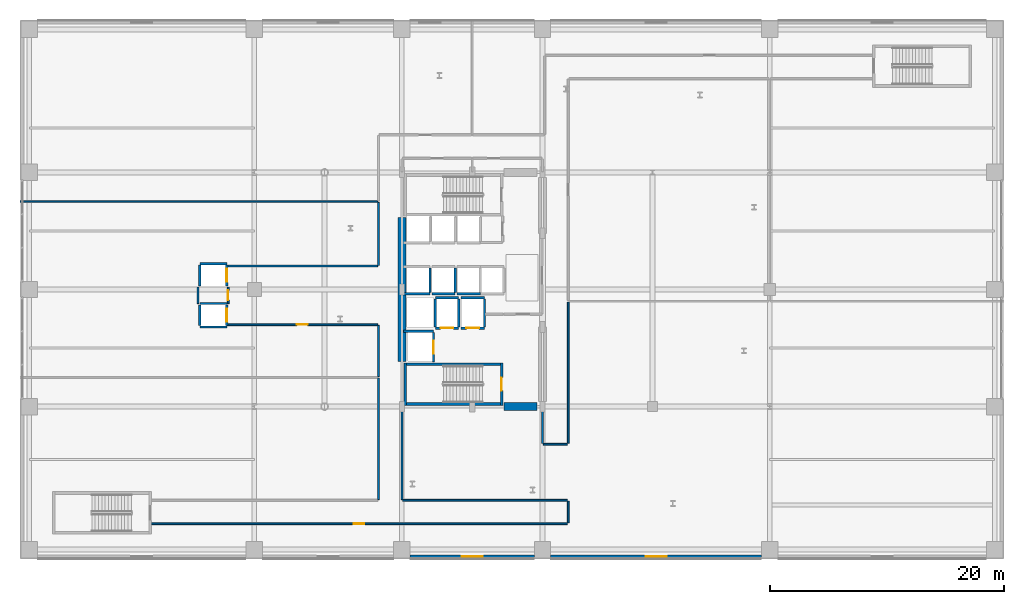
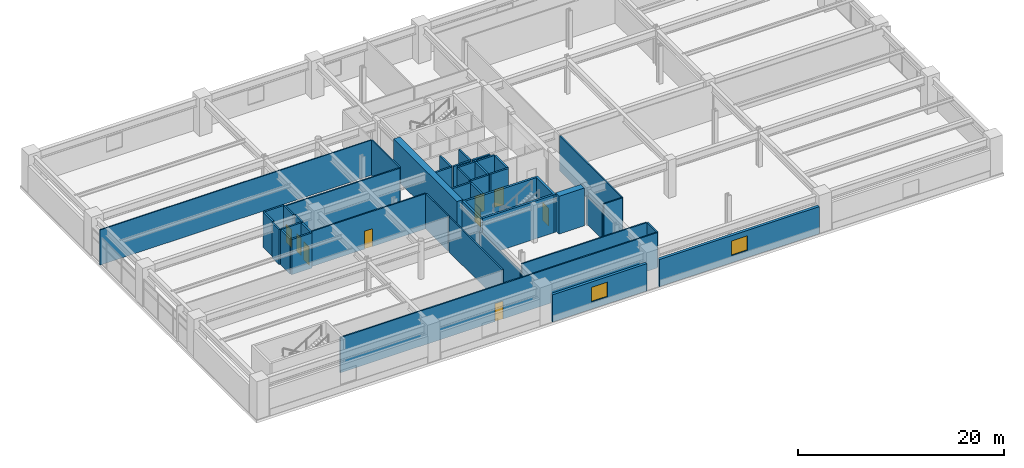
# One storey, part 20 of 28: 44 walls, 9 doors, 2 windows, 11 openings.
"""IFC4 building model written with IfcOpenShell, lengths in metres."""

from ifc_helpers import new_model, si_unit, direction, frame, frame_2d, origin, place, context, subcontext, project, spatial, rectangle, extrude, material, layer, layer_set, type_object, element, fill, save


model = new_model("IFC4")

# Units and contexts
model_context = context("Model", 3, precision=1e-05, world=origin(), true_north=direction((0.0, 1.0)))
body_context = subcontext(model_context, "Body", "Model", "MODEL_VIEW")
ifc_project = project(units=[si_unit("LENGTHUNIT", "METRE"), si_unit("AREAUNIT", "SQUARE_METRE"), si_unit("VOLUMEUNIT", "CUBIC_METRE"), si_unit("PLANEANGLEUNIT", "RADIAN"), si_unit("MASSUNIT", "GRAM", prefix="KILO")], contexts=[model_context])

# Site, building, storey
site_placement = place(None, origin())
site = spatial("IfcSite", under=ifc_project, at=site_placement, CompositionType="ELEMENT")
building_placement = place(site_placement, origin())
building = spatial("IfcBuilding", under=site, at=building_placement, Name="Soratama Intermodal Tower", CompositionType="ELEMENT")
storey_placement = place(building_placement, frame((0.0, 0.0, 16.199951171875)))
storey = spatial("IfcBuildingStorey", under=building, at=storey_placement, Name="L03", CompositionType="ELEMENT", Elevation=16.199951171875)

# Wall, opening, window
ifc_material_1 = material(Name="Concrete f'c 42 MPa", Category="concrete")
ifc_layer_1 = layer(ifc_material_1, 0.300048828125)
ifc_layer_set_1 = layer_set([ifc_layer_1], Name="Concrete f'c 42 MPa")
wall_type_1 = type_object("IfcWallType", Name="EW-STONE-300", PredefinedType="SOLIDWALL", material=ifc_layer_set_1)
wall_1_placement = place(storey_placement, frame((43.89990234375, 2.199951171875, 0.0), z_axis=(0.0, 0.0, 1.0), x_axis=(-1.0, 0.0, 0.0)))
wall_1 = element("IfcWall", 1, at=wall_1_placement, inside=storey, type_object=wall_type_1, Name="L03 S Limestone Wall B3", PredefinedType="SOLIDWALL", context=body_context, shape_type="SweptSolid", body=[
    extrude(rectangle(XDim=10.599853515625, YDim=0.300048828125, at=frame_2d((5.2998046875, 0.0))), origin(), (0.0, 0.0, 1.0), 3.236083984375),
])
opening_1_placement = place(wall_1_placement, frame((4.39990234375, 0.0, 0.85009765625)))
opening_1 = element("IfcOpeningElement", 2, at=opening_1_placement, cuts=wall_1, Name="Opening WN-3", PredefinedType="OPENING", context=body_context, shape_type="SweptSolid", body=[
    extrude(rectangle(XDim=1.800048828125, YDim=1.75, at=frame_2d((0.89990234375, 0.875))), frame((0.0, 0.159912109375, 0.0), z_axis=(0.0, -1.0, 0.0), x_axis=(1.0, 0.0, 0.0)), (0.0, 0.0, 1.0), 0.320068359375),
])
ifc_material_2 = material(Name="Double-glazed aluminium window", Category="aluminium")
window_type = type_object("IfcWindowType", Name="WN-POD-1800", PartitioningType="SINGLE_PANEL", PredefinedType="WINDOW", material=ifc_material_2)
window_1_placement = place(opening_1_placement, origin())
window_1 = element("IfcWindow", 3, at=window_1_placement, inside=storey, type_object=window_type, Name="L03 S Window B3", OverallHeight=1.75, OverallWidth=1.800048828125, PartitioningType="SINGLE_PANEL", PredefinedType="WINDOW", context=body_context, shape_type="SweptSolid", body=[
    extrude(rectangle(XDim=1.800048828125, YDim=1.75, at=frame_2d((0.89990234375, 0.875))), frame((0.0, 0.030029296875, 0.0), z_axis=(0.0, -1.0, 0.0), x_axis=(1.0, 0.0, 0.0)), (0.0, 0.0, 1.0), 0.06005859375),
])
fill(opening_1, window_1)

wall_2_placement = place(storey_placement, frame((63.300048828125, 2.199951171875, 0.0), z_axis=(0.0, 0.0, 1.0), x_axis=(-1.0, 0.0, 0.0)))
wall_2 = element("IfcWall", 4, at=wall_2_placement, inside=storey, type_object=wall_type_1, Name="L03 S Limestone Wall B4", PredefinedType="SOLIDWALL", context=body_context, shape_type="SweptSolid", body=[
    extrude(rectangle(XDim=18.0, YDim=0.300048828125, at=frame_2d((9.0, 0.0))), origin(), (0.0, 0.0, 1.0), 3.236083984375),
])
opening_2_placement = place(wall_2_placement, frame((8.10009765625, 0.0, 0.85009765625)))
opening_2 = element("IfcOpeningElement", 5, at=opening_2_placement, cuts=wall_2, Name="Opening WN-3", PredefinedType="OPENING", context=body_context, shape_type="SweptSolid", body=[
    extrude(rectangle(XDim=1.800048828125, YDim=1.75, at=frame_2d((0.89990234375, 0.875))), frame((0.0, 0.159912109375, 0.0), z_axis=(0.0, -1.0, 0.0), x_axis=(1.0, 0.0, 0.0)), (0.0, 0.0, 1.0), 0.320068359375),
])
window_2_placement = place(opening_2_placement, origin())
window_2 = element("IfcWindow", 6, at=window_2_placement, inside=storey, type_object=window_type, Name="L03 S Window B4", OverallHeight=1.75, OverallWidth=1.800048828125, PartitioningType="SINGLE_PANEL", PredefinedType="WINDOW", context=body_context, shape_type="SweptSolid", body=[
    extrude(rectangle(XDim=1.800048828125, YDim=1.75, at=frame_2d((0.89990234375, 0.875))), frame((0.0, 0.030029296875, 0.0), z_axis=(0.0, -1.0, 0.0), x_axis=(1.0, 0.0, 0.0)), (0.0, 0.0, 1.0), 0.06005859375),
])
fill(opening_2, window_2)

# Wall, opening, door
ifc_material_3 = material(Name="Fire-rated gypsum stud partition", Category="concrete")
ifc_layer_2 = layer(ifc_material_3, 0.14990234375)
ifc_layer_set_2 = layer_set([ifc_layer_2], Name="Fire-rated gypsum stud partition")
wall_type_2 = type_object("IfcWallType", Name="IW-PART-R150", PredefinedType="PARTITIONING", material=ifc_layer_set_2)
wall_3_placement = place(storey_placement, frame((46.72998046875, 5.0, 0.0), z_axis=(0.0, 0.0, 1.0), x_axis=(-1.0, 0.0, 0.0)))
wall_3 = element("IfcWall", 7, at=wall_3_placement, inside=storey, type_object=wall_type_2, Name="L03 Partition W-L03-TP001", PredefinedType="PARTITIONING", context=body_context, shape_type="SweptSolid", body=[
    extrude(rectangle(XDim=35.60986328125, YDim=0.14990234375, at=frame_2d((17.804931640625, 0.0))), origin(), (0.0, 0.0, 1.0), 4.179931640625),
])
opening_3_placement = place(wall_3_placement, frame((17.330078125, 0.0, 0.0)))
opening_3 = element("IfcOpeningElement", 8, at=opening_3_placement, cuts=wall_3, Name="Opening ID-6", PredefinedType="OPENING", context=body_context, shape_type="SweptSolid", body=[
    extrude(rectangle(XDim=0.919921875, YDim=2.1201171875, at=frame_2d((0.4599609375, 1.06005859375))), frame((0.0, 0.0849609375, 0.0), z_axis=(0.0, -1.0, 0.0), x_axis=(1.0, 0.0, 0.0)), (0.0, 0.0, 1.0), 0.169921875),
])
ifc_material_4 = material(Name="Solid hardwood acoustic door", Category="wood")
door_type_1 = type_object("IfcDoorType", Name="DR-ROOM-920", OperationType="NOTDEFINED", PredefinedType="DOOR", material=ifc_material_4)
door_1_placement = place(opening_3_placement, origin())
door_1 = element("IfcDoor", 9, at=door_1_placement, inside=storey, type_object=door_type_1, Name="L03 Door D-L03-TP001", OperationType="SINGLE_SWING_RIGHT", OverallHeight=2.1201171875, OverallWidth=0.919921875, PredefinedType="DOOR", context=body_context, shape_type="SweptSolid", body=[
    extrude(rectangle(XDim=0.919921875, YDim=2.1201171875, at=frame_2d((0.4599609375, 1.06005859375))), frame((0.0, 0.02490234375, 0.0), z_axis=(0.0, -1.0, 0.0), x_axis=(1.0, 0.0, 0.0)), (0.0, 0.0, 1.0), 0.050048828125),
])
fill(opening_3, door_1)

# Wall
wall_4_placement = place(storey_placement, frame((32.669921875, 7.0, 0.0), z_axis=(0.0, 0.0, 1.0), x_axis=(1.0, 0.0, 0.0)))
element("IfcWall", 10, at=wall_4_placement, inside=storey, type_object=wall_type_2, Name="L03 Partition W-L03-TP011", PredefinedType="PARTITIONING", context=body_context, shape_type="SweptSolid", body=[
    extrude(rectangle(XDim=14.06005859375, YDim=0.14990234375, at=frame_2d((7.030029296875, 0.0))), origin(), (0.0, 0.0, 1.0), 4.179931640625),
])

# Wall, opening, door
wall_5_placement = place(storey_placement, frame((30.530029296875, 22.0, 0.0), z_axis=(0.0, 0.0, 1.0), x_axis=(-1.0, 0.0, 0.0)))
wall_5 = element("IfcWall", 11, at=wall_5_placement, inside=storey, type_object=wall_type_2, Name="L03 Partition W-L03-TP012", PredefinedType="PARTITIONING", context=body_context, shape_type="SweptSolid", body=[
    extrude(rectangle(XDim=12.880126953125, YDim=0.14990234375, at=frame_2d((6.43994140625, 0.0))), origin(), (0.0, 0.0, 1.0), 4.179931640625),
])
opening_4_placement = place(wall_5_placement, frame((5.965087890625, 0.0, 0.0)))
opening_4 = element("IfcOpeningElement", 12, at=opening_4_placement, cuts=wall_5, Name="Opening ID-6", PredefinedType="OPENING", context=body_context, shape_type="SweptSolid", body=[
    extrude(rectangle(XDim=0.919921875, YDim=2.1201171875, at=frame_2d((0.4599609375, 1.06005859375))), frame((0.0, 0.0849609375, 0.0), z_axis=(0.0, -1.0, 0.0), x_axis=(1.0, 0.0, 0.0)), (0.0, 0.0, 1.0), 0.169921875),
])
door_2_placement = place(opening_4_placement, origin())
door_2 = element("IfcDoor", 13, at=door_2_placement, inside=storey, type_object=door_type_1, Name="L03 Door D-L03-TP004", OperationType="SINGLE_SWING_LEFT", OverallHeight=2.1201171875, OverallWidth=0.919921875, PredefinedType="DOOR", context=body_context, shape_type="SweptSolid", body=[
    extrude(rectangle(XDim=0.919921875, YDim=2.1201171875, at=frame_2d((0.4599609375, 1.06005859375))), frame((0.0, 0.02490234375, 0.0), z_axis=(0.0, -1.0, 0.0), x_axis=(1.0, 0.0, 0.0)), (0.0, 0.0, 1.0), 0.050048828125),
])
fill(opening_4, door_2)

# Walls
wall_6_placement = place(storey_placement, frame((17.64990234375, 27.0, 0.0), z_axis=(0.0, 0.0, 1.0), x_axis=(1.0, 0.0, 0.0)))
element("IfcWall", 14, at=wall_6_placement, inside=storey, type_object=wall_type_2, Name="L03 Partition W-L03-TP013", PredefinedType="PARTITIONING", context=body_context, shape_type="SweptSolid", body=[
    extrude(rectangle(XDim=12.880126953125, YDim=0.14990234375, at=frame_2d((6.43994140625, 0.0))), origin(), (0.0, 0.0, 1.0), 4.179931640625),
])
wall_7_placement = place(storey_placement, frame((46.800048828125, 23.929931640625, 0.0), z_axis=(0.0, 0.0, 1.0), x_axis=(0.0, -1.0, 0.0)))
element("IfcWall", 15, at=wall_7_placement, inside=storey, type_object=wall_type_2, Name="L03 Partition W-L03-TP014", PredefinedType="PARTITIONING", context=body_context, shape_type="SweptSolid", body=[
    extrude(rectangle(XDim=12.059814453125, YDim=0.14990234375, at=frame_2d((6.02978515625, 0.0))), origin(), (0.0, 0.0, 1.0), 4.179931640625),
])
wall_8_placement = place(storey_placement, frame((30.60009765625, 7.070068359375, 0.0), z_axis=(0.0, 0.0, 1.0), x_axis=(0.0, 1.0, 0.0)))
element("IfcWall", 16, at=wall_8_placement, inside=storey, type_object=wall_type_2, Name="L03 Partition W-L03-TP015", PredefinedType="PARTITIONING", context=body_context, shape_type="SweptSolid", body=[
    extrude(rectangle(XDim=10.35986328125, YDim=0.14990234375, at=frame_2d((5.179931640625, 0.0))), origin(), (0.0, 0.0, 1.0), 4.179931640625),
])
wall_9_placement = place(storey_placement, frame((32.60009765625, 14.929931640625, 0.0), z_axis=(0.0, 0.0, 1.0), x_axis=(0.0, -1.0, 0.0)))
element("IfcWall", 17, at=wall_9_placement, inside=storey, type_object=wall_type_2, Name="L03 Partition W-L03-TP018", PredefinedType="PARTITIONING", context=body_context, shape_type="SweptSolid", body=[
    extrude(rectangle(XDim=7.85986328125, YDim=0.14990234375, at=frame_2d((3.929931640625, 0.0))), origin(), (0.0, 0.0, 1.0), 3.302001953125),
])
wall_10_placement = place(storey_placement, frame((30.60009765625, 27.070068359375, 0.0), z_axis=(0.0, 0.0, 1.0), x_axis=(0.0, 1.0, 0.0)))
element("IfcWall", 18, at=wall_10_placement, inside=storey, type_object=wall_type_2, Name="L03 Partition W-L03-TP026", PredefinedType="PARTITIONING", context=body_context, shape_type="SweptSolid", body=[
    extrude(rectangle(XDim=5.35986328125, YDim=0.14990234375, at=frame_2d((2.679931640625, 0.0))), origin(), (0.0, 0.0, 1.0), 4.179931640625),
])
wall_11_placement = place(storey_placement, frame((30.60009765625, 17.570068359375, 0.0), z_axis=(0.0, 0.0, 1.0), x_axis=(0.0, 1.0, 0.0)))
element("IfcWall", 19, at=wall_11_placement, inside=storey, type_object=wall_type_2, Name="L03 Partition W-L03-TP027", PredefinedType="PARTITIONING", context=body_context, shape_type="SweptSolid", body=[
    extrude(rectangle(XDim=4.35986328125, YDim=0.14990234375, at=frame_2d((2.179931640625, 0.0))), origin(), (0.0, 0.0, 1.0), 4.179931640625),
])
wall_12_placement = place(storey_placement, frame((44.60009765625, 11.8701171875, 0.0), z_axis=(0.0, 0.0, 1.0), x_axis=(0.0, 1.0, 0.0)))
element("IfcWall", 20, at=wall_12_placement, inside=storey, type_object=wall_type_2, Name="L03 Partition W-L03-TP029", PredefinedType="PARTITIONING", context=body_context, shape_type="SweptSolid", body=[
    extrude(rectangle(XDim=3.059814453125, YDim=0.14990234375, at=frame_2d((1.52978515625, 0.0))), origin(), (0.0, 0.0, 1.0), 3.302001953125),
])
wall_13_placement = place(storey_placement, frame((46.72998046875, 11.800048828125, 0.0), z_axis=(0.0, 0.0, 1.0), x_axis=(-1.0, 0.0, 0.0)))
element("IfcWall", 21, at=wall_13_placement, inside=storey, type_object=wall_type_2, Name="L03 Partition W-L03-TP031", PredefinedType="PARTITIONING", context=body_context, shape_type="SweptSolid", body=[
    extrude(rectangle(XDim=2.06005859375, YDim=0.14990234375, at=frame_2d((1.030029296875, 0.0))), origin(), (0.0, 0.0, 1.0), 4.179931640625),
])
wall_14_placement = place(storey_placement, frame((46.800048828125, 6.929931640625, 0.0), z_axis=(0.0, 0.0, 1.0), x_axis=(0.0, -1.0, 0.0)))
element("IfcWall", 22, at=wall_14_placement, inside=storey, type_object=wall_type_2, Name="L03 Partition W-L03-TP032", PredefinedType="PARTITIONING", context=body_context, shape_type="SweptSolid", body=[
    extrude(rectangle(XDim=1.85986328125, YDim=0.14990234375, at=frame_2d((0.929931640625, 0.0))), origin(), (0.0, 0.0, 1.0), 4.179931640625),
])

# Wall, opening, door
wall_15_placement = place(storey_placement, frame((17.77001953125, 23.800048828125, 0.0), z_axis=(0.0, 0.0, 1.0), x_axis=(0.0, 1.0, 0.0)))
wall_15 = element("IfcWall", 23, at=wall_15_placement, inside=storey, type_object=wall_type_2, Name="L03 Partition W-L03-TP035", PredefinedType="PARTITIONING", context=body_context, shape_type="SweptSolid", body=[
    extrude(rectangle(XDim=1.39990234375, YDim=0.14990234375, at=frame_2d((0.699951171875, 0.0))), origin(), (0.0, 0.0, 1.0), 4.179931640625),
])
opening_5_placement = place(wall_15_placement, frame((0.27490234375, 0.0, 0.0)))
opening_5 = element("IfcOpeningElement", 24, at=opening_5_placement, cuts=wall_15, Name="Opening ID-4", PredefinedType="OPENING", context=body_context, shape_type="SweptSolid", body=[
    extrude(rectangle(XDim=0.85009765625, YDim=2.10009765625, at=frame_2d((0.425048828125, 1.050048828125))), frame((0.0, 0.0849609375, 0.0), z_axis=(0.0, -1.0, 0.0), x_axis=(1.0, 0.0, 0.0)), (0.0, 0.0, 1.0), 0.169921875),
])
ifc_material_5 = material(Name="Solid hardwood acoustic door", Category="wood")
door_type_2 = type_object("IfcDoorType", Name="DR-BATH-850", OperationType="NOTDEFINED", PredefinedType="DOOR", material=ifc_material_5)
door_3_placement = place(opening_5_placement, origin())
door_3 = element("IfcDoor", 25, at=door_3_placement, inside=storey, type_object=door_type_2, Name="L03 Door D-L03-TP011", OperationType="SINGLE_SWING_LEFT", OverallHeight=2.10009765625, OverallWidth=0.85009765625, PredefinedType="DOOR", context=body_context, shape_type="SweptSolid", body=[
    extrude(rectangle(XDim=0.85009765625, YDim=2.10009765625, at=frame_2d((0.425048828125, 1.050048828125))), frame((0.0, 0.02490234375, 0.0), z_axis=(0.0, -1.0, 0.0), x_axis=(1.0, 0.0, 0.0)), (0.0, 0.0, 1.0), 0.050048828125),
])
fill(opening_5, door_3)

# Walls
wall_16_placement = place(storey_placement, frame((15.205078125, 23.800048828125, 0.0), z_axis=(0.0, 0.0, 1.0), x_axis=(0.0, 1.0, 0.0)))
element("IfcWall", 26, at=wall_16_placement, inside=storey, type_object=wall_type_2, Name="L03 Partition W-L03-TP036", PredefinedType="PARTITIONING", context=body_context, shape_type="SweptSolid", body=[
    extrude(rectangle(XDim=1.39990234375, YDim=0.14990234375, at=frame_2d((0.699951171875, 0.0))), origin(), (0.0, 0.0, 1.0), 4.179931640625),
])
ifc_material_6 = material(Name="Fire-rated gypsum stud partition", Category="concrete")
ifc_layer_3 = layer(ifc_material_6, 0.1201171875)
ifc_layer_set_3 = layer_set([ifc_layer_3], Name="Fire-rated gypsum stud partition")
wall_type_3 = type_object("IfcWallType", Name="IW-PART-S120", PredefinedType="PARTITIONING", material=ifc_layer_set_3)
wall_17_placement = place(storey_placement, frame((0.0, 32.5, 0.0), z_axis=(0.0, 0.0, 1.0), x_axis=(1.0, 0.0, 0.0)))
element("IfcWall", 27, at=wall_17_placement, inside=storey, type_object=wall_type_3, Name="L03 Partition W-L03-TP003", PredefinedType="PARTITIONING", context=body_context, shape_type="SweptSolid", body=[
    extrude(rectangle(XDim=30.530029296875, YDim=0.1201171875, at=frame_2d((15.26513671875, 0.0))), origin(), (0.0, 0.0, 1.0), 4.179931640625),
])

# Wall, opening, door
ifc_material_7 = material(Name="Concrete f'c 42 MPa", Category="concrete")
ifc_layer_4 = layer(ifc_material_7, 0.199951171875)
ifc_layer_set_4 = layer_set([ifc_layer_4], Name="Concrete f'c 42 MPa")
wall_type_4 = type_object("IfcWallType", Name="IW-SHAFT-200", PredefinedType="SOLIDWALL", material=ifc_layer_set_4)
wall_18_placement = place(storey_placement, frame((35.449951171875, 21.699951171875, 0.0), z_axis=(0.0, 0.0, 1.0), x_axis=(1.0, 0.0, 0.0)))
wall_18 = element("IfcWall", 28, at=wall_18_placement, inside=storey, type_object=wall_type_4, Name="L03 FFL-1 Hoistway Wall S", PredefinedType="SOLIDWALL", context=body_context, shape_type="SweptSolid", body=[
    extrude(rectangle(XDim=2.0, YDim=0.199951171875, at=frame_2d((1.0, 0.0))), origin(), (0.0, 0.0, 1.0), 4.179931640625),
])
opening_6_placement = place(wall_18_placement, frame((0.449951171875, 0.0, 0.0)))
opening_6 = element("IfcOpeningElement", 29, at=opening_6_placement, cuts=wall_18, Name="Opening LD-1", PredefinedType="OPENING", context=body_context, shape_type="SweptSolid", body=[
    extrude(rectangle(XDim=1.10009765625, YDim=2.14990234375, at=frame_2d((0.550048828125, 1.074951171875))), frame((0.0, 0.10986328125, 0.0), z_axis=(0.0, -1.0, 0.0), x_axis=(1.0, 0.0, 0.0)), (0.0, 0.0, 1.0), 0.219970703125),
])
ifc_material_8 = material(Name="Steel fire door", Category="steel")
door_type_3 = type_object("IfcDoorType", Name="DR-LIFT-SLIDE", OperationType="NOTDEFINED", PredefinedType="DOOR", material=ifc_material_8)
door_4_placement = place(opening_6_placement, origin())
door_4 = element("IfcDoor", 30, at=door_4_placement, inside=storey, type_object=door_type_3, Name="L03 FFL-1 Sliding Landing Door", OperationType="SLIDING_TO_LEFT", OverallHeight=2.14990234375, OverallWidth=1.10009765625, PredefinedType="DOOR", context=body_context, shape_type="SweptSolid", body=[
    extrude(rectangle(XDim=1.10009765625, YDim=2.14990234375, at=frame_2d((0.550048828125, 1.074951171875))), frame((0.0, 0.02490234375, 0.0), z_axis=(0.0, -1.0, 0.0), x_axis=(1.0, 0.0, 0.0)), (0.0, 0.0, 1.0), 0.050048828125),
])
fill(opening_6, door_4)

# Walls
wall_19_placement = place(storey_placement, frame((35.449951171875, 24.300048828125, 0.0), z_axis=(0.0, 0.0, 1.0), x_axis=(1.0, 0.0, 0.0)))
element("IfcWall", 31, at=wall_19_placement, inside=storey, type_object=wall_type_4, Name="L03 FFL-1 Hoistway Wall N", PredefinedType="SOLIDWALL", context=body_context, shape_type="SweptSolid", body=[
    extrude(rectangle(XDim=2.0, YDim=0.199951171875, at=frame_2d((1.0, 0.0))), origin(), (0.0, 0.0, 1.0), 4.179931640625),
])
for number, where, z_axis, x_axis, name in (
    (32, (35.449951171875, 21.81005859375, 0.0), (0.0, 0.0, 1.0), (0.0, 1.0, 0.0), "L03 FFL-1 Hoistway Wall W"),
    (33, (37.449951171875, 21.81005859375, 0.0), (0.0, 0.0, 1.0), (0.0, 1.0, 0.0), "L03 FFL-1 Hoistway Wall E"),
):
    element("IfcWall", number, at=place(storey_placement, frame(where, z_axis=z_axis, x_axis=x_axis)), inside=storey, type_object=wall_type_4, Name=name, PredefinedType="SOLIDWALL", context=body_context, shape_type="SweptSolid", body=[
        extrude(rectangle(XDim=2.3798828125, YDim=0.199951171875, at=frame_2d((1.18994140625, 0.0))), origin(), (0.0, 0.0, 1.0), 4.179931640625),
    ])

# Wall, opening, door
wall_20_placement = place(storey_placement, frame((37.64990234375, 21.699951171875, 0.0), z_axis=(0.0, 0.0, 1.0), x_axis=(1.0, 0.0, 0.0)))
wall_20 = element("IfcWall", 34, at=wall_20_placement, inside=storey, type_object=wall_type_4, Name="L03 FFL-2 Hoistway Wall S", PredefinedType="SOLIDWALL", context=body_context, shape_type="SweptSolid", body=[
    extrude(rectangle(XDim=2.0, YDim=0.199951171875, at=frame_2d((1.0, 0.0))), origin(), (0.0, 0.0, 1.0), 4.179931640625),
])
opening_7_placement = place(wall_20_placement, frame((0.449951171875, 0.0, 0.0)))
opening_7 = element("IfcOpeningElement", 35, at=opening_7_placement, cuts=wall_20, Name="Opening LD-1", PredefinedType="OPENING", context=body_context, shape_type="SweptSolid", body=[
    extrude(rectangle(XDim=1.10009765625, YDim=2.14990234375, at=frame_2d((0.550048828125, 1.074951171875))), frame((0.0, 0.10986328125, 0.0), z_axis=(0.0, -1.0, 0.0), x_axis=(1.0, 0.0, 0.0)), (0.0, 0.0, 1.0), 0.219970703125),
])
door_5_placement = place(opening_7_placement, origin())
door_5 = element("IfcDoor", 36, at=door_5_placement, inside=storey, type_object=door_type_3, Name="L03 FFL-2 Sliding Landing Door", OperationType="SLIDING_TO_LEFT", OverallHeight=2.14990234375, OverallWidth=1.10009765625, PredefinedType="DOOR", context=body_context, shape_type="SweptSolid", body=[
    extrude(rectangle(XDim=1.10009765625, YDim=2.14990234375, at=frame_2d((0.550048828125, 1.074951171875))), frame((0.0, 0.02490234375, 0.0), z_axis=(0.0, -1.0, 0.0), x_axis=(1.0, 0.0, 0.0)), (0.0, 0.0, 1.0), 0.050048828125),
])
fill(opening_7, door_5)

# Walls
wall_21_placement = place(storey_placement, frame((37.64990234375, 24.300048828125, 0.0), z_axis=(0.0, 0.0, 1.0), x_axis=(1.0, 0.0, 0.0)))
element("IfcWall", 37, at=wall_21_placement, inside=storey, type_object=wall_type_4, Name="L03 FFL-2 Hoistway Wall N", PredefinedType="SOLIDWALL", context=body_context, shape_type="SweptSolid", body=[
    extrude(rectangle(XDim=2.0, YDim=0.199951171875, at=frame_2d((1.0, 0.0))), origin(), (0.0, 0.0, 1.0), 4.179931640625),
])
wall_22_placement = place(storey_placement, frame((39.64990234375, 21.81005859375, 0.0), z_axis=(0.0, 0.0, 1.0), x_axis=(0.0, 1.0, 0.0)))
element("IfcWall", 38, at=wall_22_placement, inside=storey, type_object=wall_type_4, Name="L03 FFL-2 Hoistway Wall E", PredefinedType="SOLIDWALL", context=body_context, shape_type="SweptSolid", body=[
    extrude(rectangle(XDim=2.3798828125, YDim=0.199951171875, at=frame_2d((1.18994140625, 0.0))), origin(), (0.0, 0.0, 1.0), 4.179931640625),
])
wall_23_placement = place(storey_placement, frame((32.719970703125, 21.449951171875, 0.0), z_axis=(0.0, 0.0, 1.0), x_axis=(1.0, 0.0, 0.0)))
element("IfcWall", 39, at=wall_23_placement, inside=storey, type_object=wall_type_4, Name="L03 SVL-1 Hoistway Wall N", PredefinedType="SOLIDWALL", context=body_context, shape_type="SweptSolid", body=[
    extrude(rectangle(XDim=2.580078125, YDim=0.199951171875, at=frame_2d((1.2900390625, 0.0))), origin(), (0.0, 0.0, 1.0), 4.179931640625),
])

# Wall, opening, door
wall_24_placement = place(storey_placement, frame((35.300048828125, 18.7900390625, 0.0), z_axis=(0.0, 0.0, 1.0), x_axis=(0.0, 1.0, 0.0)))
wall_24 = element("IfcWall", 40, at=wall_24_placement, inside=storey, type_object=wall_type_4, Name="L03 SVL-1 Hoistway Wall E", PredefinedType="SOLIDWALL", context=body_context, shape_type="SweptSolid", body=[
    extrude(rectangle(XDim=2.550048828125, YDim=0.199951171875, at=frame_2d((1.27490234375, 0.0))), origin(), (0.0, 0.0, 1.0), 4.179931640625),
])
opening_8_placement = place(wall_24_placement, frame((0.72509765625, 0.0, 0.0)))
opening_8 = element("IfcOpeningElement", 41, at=opening_8_placement, cuts=wall_24, Name="Opening LD-1", PredefinedType="OPENING", context=body_context, shape_type="SweptSolid", body=[
    extrude(rectangle(XDim=1.10009765625, YDim=2.14990234375, at=frame_2d((0.550048828125, 1.074951171875))), frame((0.0, 0.10986328125, 0.0), z_axis=(0.0, -1.0, 0.0), x_axis=(1.0, 0.0, 0.0)), (0.0, 0.0, 1.0), 0.219970703125),
])
door_6_placement = place(opening_8_placement, origin())
door_6 = element("IfcDoor", 42, at=door_6_placement, inside=storey, type_object=door_type_3, Name="L03 SVL-1 Sliding Landing Door", OperationType="SLIDING_TO_LEFT", OverallHeight=2.14990234375, OverallWidth=1.10009765625, PredefinedType="DOOR", context=body_context, shape_type="SweptSolid", body=[
    extrude(rectangle(XDim=1.10009765625, YDim=2.14990234375, at=frame_2d((0.550048828125, 1.074951171875))), frame((0.0, 0.02490234375, 0.0), z_axis=(0.0, -1.0, 0.0), x_axis=(1.0, 0.0, 0.0)), (0.0, 0.0, 1.0), 0.050048828125),
])
fill(opening_8, door_6)

# Walls
for number, where, z_axis, x_axis, name in (
    (43, (15.35009765625, 21.800048828125, 0.0), (0.0, 0.0, 1.0), (1.0, 0.0, 0.0), "L03 PL-P1 Hoistway Wall S"),
    (44, (15.35009765625, 23.800048828125, 0.0), (0.0, 0.0, 1.0), (1.0, 0.0, 0.0), "L03 PL-P1 Hoistway Wall N"),
):
    element("IfcWall", number, at=place(storey_placement, frame(where, z_axis=z_axis, x_axis=x_axis)), inside=storey, type_object=wall_type_4, Name=name, PredefinedType="SOLIDWALL", context=body_context, shape_type="SweptSolid", body=[
        extrude(rectangle(XDim=2.2998046875, YDim=0.199951171875, at=frame_2d((1.14990234375, 0.0))), origin(), (0.0, 0.0, 1.0), 4.179931640625),
    ])
wall_25_placement = place(storey_placement, frame((15.35009765625, 21.909912109375, 0.0), z_axis=(0.0, 0.0, 1.0), x_axis=(0.0, 1.0, 0.0)))
element("IfcWall", 45, at=wall_25_placement, inside=storey, type_object=wall_type_4, Name="L03 PL-P1 Hoistway Wall W", PredefinedType="SOLIDWALL", context=body_context, shape_type="SweptSolid", body=[
    extrude(rectangle(XDim=1.780029296875, YDim=0.199951171875, at=frame_2d((0.89013671875, 0.0))), origin(), (0.0, 0.0, 1.0), 4.179931640625),
])

# Wall, opening, door
wall_26_placement = place(storey_placement, frame((17.64990234375, 21.909912109375, 0.0), z_axis=(0.0, 0.0, 1.0), x_axis=(0.0, 1.0, 0.0)))
wall_26 = element("IfcWall", 46, at=wall_26_placement, inside=storey, type_object=wall_type_4, Name="L03 PL-P1 Hoistway Wall E", PredefinedType="SOLIDWALL", context=body_context, shape_type="SweptSolid", body=[
    extrude(rectangle(XDim=1.780029296875, YDim=0.199951171875, at=frame_2d((0.89013671875, 0.0))), origin(), (0.0, 0.0, 1.0), 4.179931640625),
])
opening_9_placement = place(wall_26_placement, frame((0.340087890625, 0.0, 0.0)))
opening_9 = element("IfcOpeningElement", 47, at=opening_9_placement, cuts=wall_26, Name="Opening LD-1", PredefinedType="OPENING", context=body_context, shape_type="SweptSolid", body=[
    extrude(rectangle(XDim=1.10009765625, YDim=2.14990234375, at=frame_2d((0.550048828125, 1.074951171875))), frame((0.0, 0.10986328125, 0.0), z_axis=(0.0, -1.0, 0.0), x_axis=(1.0, 0.0, 0.0)), (0.0, 0.0, 1.0), 0.219970703125),
])
door_7_placement = place(opening_9_placement, origin())
door_7 = element("IfcDoor", 48, at=door_7_placement, inside=storey, type_object=door_type_3, Name="L03 PL-P1 Sliding Landing Door", OperationType="SLIDING_TO_LEFT", OverallHeight=2.14990234375, OverallWidth=1.10009765625, PredefinedType="DOOR", context=body_context, shape_type="SweptSolid", body=[
    extrude(rectangle(XDim=1.10009765625, YDim=2.14990234375, at=frame_2d((0.550048828125, 1.074951171875))), frame((0.0, 0.02490234375, 0.0), z_axis=(0.0, -1.0, 0.0), x_axis=(1.0, 0.0, 0.0)), (0.0, 0.0, 1.0), 0.050048828125),
])
fill(opening_9, door_7)

# Walls
wall_27_placement = place(storey_placement, frame((15.35009765625, 27.199951171875, 0.0), z_axis=(0.0, 0.0, 1.0), x_axis=(1.0, 0.0, 0.0)))
element("IfcWall", 49, at=wall_27_placement, inside=storey, type_object=wall_type_4, Name="L03 PL-P2 Hoistway Wall N", PredefinedType="SOLIDWALL", context=body_context, shape_type="SweptSolid", body=[
    extrude(rectangle(XDim=2.2998046875, YDim=0.199951171875, at=frame_2d((1.14990234375, 0.0))), origin(), (0.0, 0.0, 1.0), 4.179931640625),
])
wall_28_placement = place(storey_placement, frame((15.35009765625, 25.31005859375, 0.0), z_axis=(0.0, 0.0, 1.0), x_axis=(0.0, 1.0, 0.0)))
element("IfcWall", 50, at=wall_28_placement, inside=storey, type_object=wall_type_4, Name="L03 PL-P2 Hoistway Wall W", PredefinedType="SOLIDWALL", context=body_context, shape_type="SweptSolid", body=[
    extrude(rectangle(XDim=1.780029296875, YDim=0.199951171875, at=frame_2d((0.89013671875, 0.0))), origin(), (0.0, 0.0, 1.0), 4.179931640625),
])

# Wall, opening, door
wall_29_placement = place(storey_placement, frame((17.64990234375, 25.31005859375, 0.0), z_axis=(0.0, 0.0, 1.0), x_axis=(0.0, 1.0, 0.0)))
wall_29 = element("IfcWall", 51, at=wall_29_placement, inside=storey, type_object=wall_type_4, Name="L03 PL-P2 Hoistway Wall E", PredefinedType="SOLIDWALL", context=body_context, shape_type="SweptSolid", body=[
    extrude(rectangle(XDim=1.780029296875, YDim=0.199951171875, at=frame_2d((0.89013671875, 0.0))), origin(), (0.0, 0.0, 1.0), 4.179931640625),
])
opening_10_placement = place(wall_29_placement, frame((0.340087890625, 0.0, 0.0)))
opening_10 = element("IfcOpeningElement", 52, at=opening_10_placement, cuts=wall_29, Name="Opening LD-1", PredefinedType="OPENING", context=body_context, shape_type="SweptSolid", body=[
    extrude(rectangle(XDim=1.10009765625, YDim=2.14990234375, at=frame_2d((0.550048828125, 1.074951171875))), frame((0.0, 0.10986328125, 0.0), z_axis=(0.0, -1.0, 0.0), x_axis=(1.0, 0.0, 0.0)), (0.0, 0.0, 1.0), 0.219970703125),
])
door_8_placement = place(opening_10_placement, origin())
door_8 = element("IfcDoor", 53, at=door_8_placement, inside=storey, type_object=door_type_3, Name="L03 PL-P2 Sliding Landing Door", OperationType="SLIDING_TO_LEFT", OverallHeight=2.14990234375, OverallWidth=1.10009765625, PredefinedType="DOOR", context=body_context, shape_type="SweptSolid", body=[
    extrude(rectangle(XDim=1.10009765625, YDim=2.14990234375, at=frame_2d((0.550048828125, 1.074951171875))), frame((0.0, 0.02490234375, 0.0), z_axis=(0.0, -1.0, 0.0), x_axis=(1.0, 0.0, 0.0)), (0.0, 0.0, 1.0), 0.050048828125),
])
fill(opening_10, door_8)

# Walls
wall_30_placement = place(storey_placement, frame((32.719970703125, 24.64990234375, 0.0), z_axis=(0.0, 0.0, 1.0), x_axis=(1.0, 0.0, 0.0)))
element("IfcWall", 54, at=wall_30_placement, inside=storey, type_object=wall_type_4, Name="L03 PL-L1 Hoistway Wall S", PredefinedType="SOLIDWALL", context=body_context, shape_type="SweptSolid", body=[
    extrude(rectangle(XDim=2.280029296875, YDim=0.199951171875, at=frame_2d((1.14013671875, 0.0))), origin(), (0.0, 0.0, 1.0), 4.179931640625),
])
wall_31_placement = place(storey_placement, frame((35.0, 24.760009765625, 0.0), z_axis=(0.0, 0.0, 1.0), x_axis=(0.0, 1.0, 0.0)))
element("IfcWall", 55, at=wall_31_placement, inside=storey, type_object=wall_type_4, Name="L03 PL-L1 Hoistway Wall E", PredefinedType="SOLIDWALL", context=body_context, shape_type="SweptSolid", body=[
    extrude(rectangle(XDim=2.080078125, YDim=0.199951171875, at=frame_2d((1.0400390625, 0.0))), origin(), (0.0, 0.0, 1.0), 4.179931640625),
])
wall_32_placement = place(storey_placement, frame((35.14990234375, 24.64990234375, 0.0), z_axis=(0.0, 0.0, 1.0), x_axis=(1.0, 0.0, 0.0)))
element("IfcWall", 56, at=wall_32_placement, inside=storey, type_object=wall_type_4, Name="L03 PL-L2 Hoistway Wall S", PredefinedType="SOLIDWALL", context=body_context, shape_type="SweptSolid", body=[
    extrude(rectangle(XDim=2.0, YDim=0.199951171875, at=frame_2d((1.0, 0.0))), origin(), (0.0, 0.0, 1.0), 4.179931640625),
])
wall_33_placement = place(storey_placement, frame((37.14990234375, 24.760009765625, 0.0), z_axis=(0.0, 0.0, 1.0), x_axis=(0.0, 1.0, 0.0)))
element("IfcWall", 57, at=wall_33_placement, inside=storey, type_object=wall_type_4, Name="L03 PL-L2 Hoistway Wall E", PredefinedType="SOLIDWALL", context=body_context, shape_type="SweptSolid", body=[
    extrude(rectangle(XDim=2.080078125, YDim=0.199951171875, at=frame_2d((1.0400390625, 0.0))), origin(), (0.0, 0.0, 1.0), 4.179931640625),
])
wall_34_placement = place(storey_placement, frame((37.300048828125, 24.64990234375, 0.0), z_axis=(0.0, 0.0, 1.0), x_axis=(1.0, 0.0, 0.0)))
element("IfcWall", 58, at=wall_34_placement, inside=storey, type_object=wall_type_4, Name="L03 PL-L3 Hoistway Wall S", PredefinedType="SOLIDWALL", context=body_context, shape_type="SweptSolid", body=[
    extrude(rectangle(XDim=2.0, YDim=0.199951171875, at=frame_2d((1.0, 0.0))), origin(), (0.0, 0.0, 1.0), 4.179931640625),
])
ifc_material_9 = material(Name="Concrete f'c 56 MPa", Category="concrete")
ifc_layer_5 = layer(ifc_material_9, 0.699951171875)
ifc_layer_set_5 = layer_set([ifc_layer_5], Name="Concrete f'c 56 MPa")
wall_type_5 = type_object("IfcWallType", Name="SW-CORE-700", PredefinedType="SHEAR", material=ifc_layer_set_5)
wall_35_placement = place(storey_placement, frame((32.60009765625, 18.85009765625, 0.0), z_axis=(0.0, 0.0, 1.0), x_axis=(0.0, 1.0, 0.0)))
element("IfcWall", 59, at=wall_35_placement, inside=storey, type_object=wall_type_5, Name="L03 Core Shear Wall CW-WMID", PredefinedType="SHEAR", context=body_context, shape_type="SweptSolid", body=[
    extrude(rectangle(XDim=12.2998046875, YDim=0.699951171875, at=frame_2d((6.14990234375, 0.0))), origin(), (0.0, 0.0, 1.0), 4.5),
])
wall_36_placement = place(storey_placement, frame((41.300048828125, 15.0, 0.0), z_axis=(0.0, 0.0, 1.0), x_axis=(1.0, 0.0, 0.0)))
element("IfcWall", 60, at=wall_36_placement, inside=storey, type_object=wall_type_5, Name="L03 Core Shear Wall CW-SE", PredefinedType="SHEAR", context=body_context, shape_type="SweptSolid", body=[
    extrude(rectangle(XDim=2.849853515625, YDim=0.699951171875, at=frame_2d((1.4248046875, 0.0))), origin(), (0.0, 0.0, 1.0), 4.5),
])
ifc_material_10 = material(Name="Concrete f'c 56 MPa", Category="concrete")
ifc_layer_6 = layer(ifc_material_10, 0.239990234375)
ifc_layer_set_6 = layer_set([ifc_layer_6], Name="Concrete f'c 56 MPa")
wall_type_6 = type_object("IfcWallType", Name="SW-STAIR-240", PredefinedType="SHEAR", material=ifc_layer_set_6)
wall_37_placement = place(storey_placement, frame((32.8798828125, 15.110107421875, 0.0), z_axis=(0.0, 0.0, 1.0), x_axis=(0.0, 1.0, 0.0)))
element("IfcWall", 61, at=wall_37_placement, inside=storey, type_object=wall_type_6, Name="L03 ST-1 Shaft Shear Wall W", PredefinedType="SHEAR", context=body_context, shape_type="SweptSolid", body=[
    extrude(rectangle(XDim=3.6298828125, YDim=0.239990234375, at=frame_2d((1.81494140625, 0.0))), origin(), (0.0, 0.0, 1.0), 4.5),
])

# Wall, opening, door
wall_38_placement = place(storey_placement, frame((41.1201171875, 15.110107421875, 0.0), z_axis=(0.0, 0.0, 1.0), x_axis=(0.0, 1.0, 0.0)))
wall_38 = element("IfcWall", 62, at=wall_38_placement, inside=storey, type_object=wall_type_6, Name="L03 ST-1 Shaft Shear Wall E", PredefinedType="SHEAR", context=body_context, shape_type="SweptSolid", body=[
    extrude(rectangle(XDim=3.6298828125, YDim=0.239990234375, at=frame_2d((1.81494140625, 0.0))), origin(), (0.0, 0.0, 1.0), 4.5),
])
opening_11_placement = place(wall_38_placement, frame((1.2548828125, 0.0, 0.0)))
opening_11 = element("IfcOpeningElement", 63, at=opening_11_placement, cuts=wall_38, Name="Opening SD-1", PredefinedType="OPENING", context=body_context, shape_type="SweptSolid", body=[
    extrude(rectangle(XDim=1.1201171875, YDim=2.14990234375, at=frame_2d((0.56005859375, 1.074951171875))), frame((0.0, 0.1298828125, 0.0), z_axis=(0.0, -1.0, 0.0), x_axis=(1.0, 0.0, 0.0)), (0.0, 0.0, 1.0), 0.260009765625),
])
ifc_material_11 = material(Name="Steel fire door", Category="steel")
door_type_4 = type_object("IfcDoorType", Name="DR-STAIR-FD90", OperationType="NOTDEFINED", PredefinedType="DOOR", material=ifc_material_11)
door_9_placement = place(opening_11_placement, origin())
door_9 = element("IfcDoor", 64, at=door_9_placement, inside=storey, type_object=door_type_4, Name="L03 ST-1 Exit Stair Door", OperationType="SINGLE_SWING_LEFT", OverallHeight=2.14990234375, OverallWidth=1.1201171875, PredefinedType="DOOR", context=body_context, shape_type="SweptSolid", body=[
    extrude(rectangle(XDim=1.1201171875, YDim=2.14990234375, at=frame_2d((0.56005859375, 1.074951171875))), frame((0.0, 0.02490234375, 0.0), z_axis=(0.0, -1.0, 0.0), x_axis=(1.0, 0.0, 0.0)), (0.0, 0.0, 1.0), 0.050048828125),
])
fill(opening_11, door_9)

# Walls
for number, where, z_axis, x_axis, name in (
    (65, (33.0, 15.22998046875, 0.0), (0.0, 0.0, 1.0), (1.0, 0.0, 0.0), "L03 ST-1 Shaft Shear Wall S"),
    (66, (33.0, 18.6201171875, 0.0), (0.0, 0.0, 1.0), (1.0, 0.0, 0.0), "L03 ST-1 Shaft Shear Wall N"),
):
    element("IfcWall", number, at=place(storey_placement, frame(where, z_axis=z_axis, x_axis=x_axis)), inside=storey, type_object=wall_type_6, Name=name, PredefinedType="SHEAR", context=body_context, shape_type="SweptSolid", body=[
        extrude(rectangle(XDim=8.0, YDim=0.239990234375, at=frame_2d((4.0, 0.0))), origin(), (0.0, 0.0, 1.0), 4.5),
    ])

save(model, "model.ifc")
